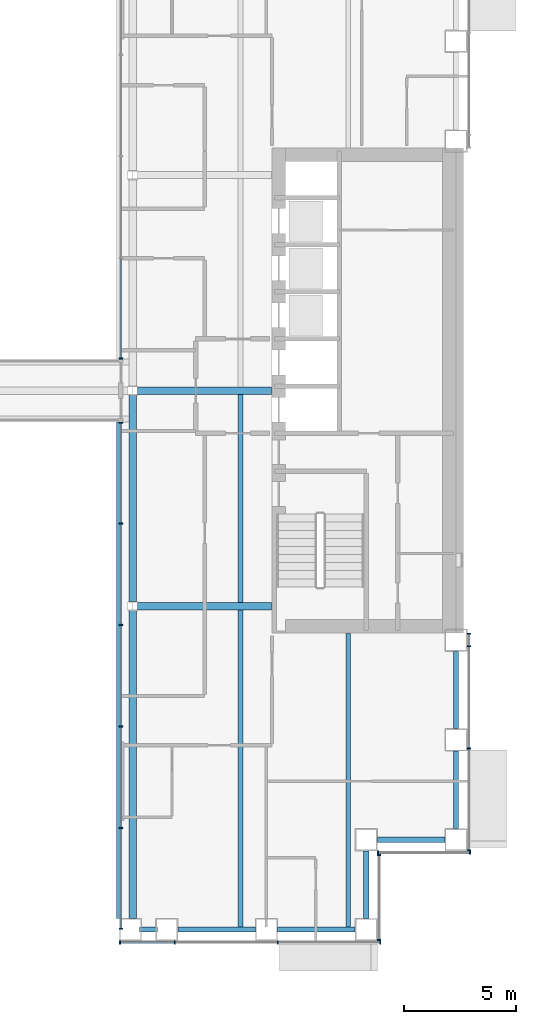
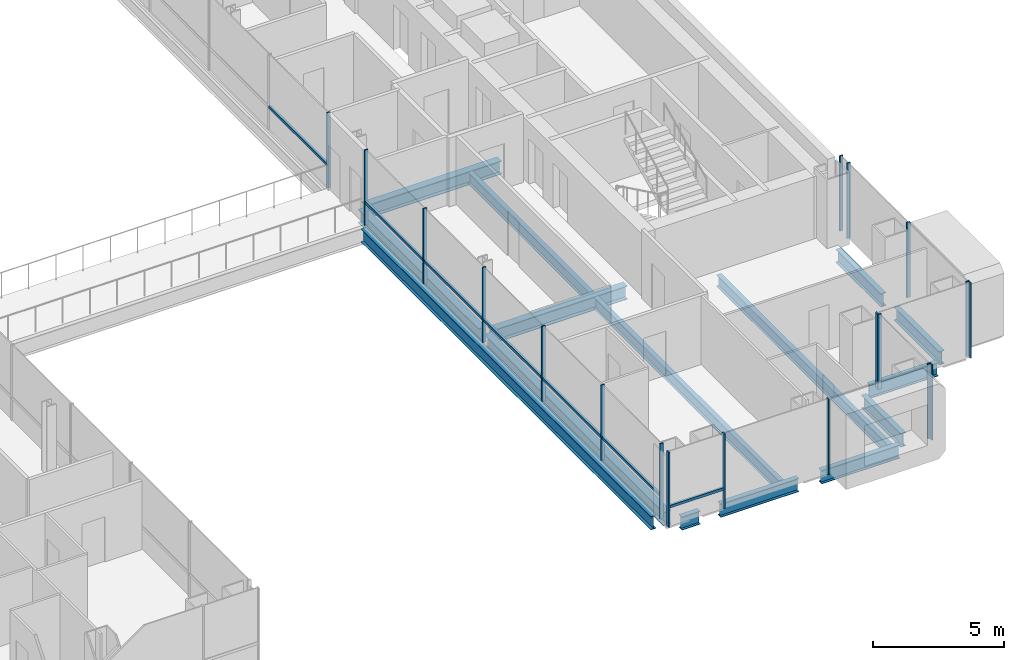
# One storey, part 4 of 21: 26 members, 15 beams, 6 elements without a shape of their own.
"""IFC4 building model written with IfcOpenShell, lengths in metres."""

from ifc_helpers import new_model, si_unit, direction, frame, origin, origin_2d, place, context, subcontext, project, spatial, rectangle, i_section, extrude, material, material_profile, profile_set, type_object, element, aggregate, save


model = new_model("IFC4")

# Units and contexts
model_context = context("Model", 3, precision=1e-05, world=origin(), true_north=direction((0.0, 1.0)))
body_context = subcontext(model_context, "Body", "Model", "MODEL_VIEW")
ifc_project = project(units=[si_unit("LENGTHUNIT", "METRE"), si_unit("AREAUNIT", "SQUARE_METRE"), si_unit("VOLUMEUNIT", "CUBIC_METRE"), si_unit("PLANEANGLEUNIT", "RADIAN"), si_unit("MASSUNIT", "GRAM", prefix="KILO")], contexts=[model_context])

# Site, building, storey
site_placement = place(None, origin())
site = spatial("IfcSite", under=ifc_project, at=site_placement, CompositionType="ELEMENT")
building_placement = place(site_placement, origin())
building = spatial("IfcBuilding", under=site, at=building_placement, Name="Cobrizo Arcos Hotel Tower", CompositionType="ELEMENT")
storey_placement = place(building_placement, frame((0.0, 0.0, 81.0)))
storey = spatial("IfcBuildingStorey", under=building, at=storey_placement, Name="L19", CompositionType="ELEMENT", Elevation=81.0)

# Curtain wall, members
ifc_material_1 = material(Name="Aluminium 6063-T6 anodised bronze", Category="aluminium")
curtain_wall_type_1 = type_object("IfcCurtainWallType", Name="CW-A guest facade", PredefinedType="NOTDEFINED", material=ifc_material_1)
curtain_wall_1_placement = place(storey_placement, origin())
curtain_wall_1 = element("IfcCurtainWall", 1, at=curtain_wall_1_placement, inside=storey, type_object=curtain_wall_type_1, Name="CW-A L19 S face", PredefinedType="NOTDEFINED")
ifc_material_profile_1 = material_profile(ifc_material_1, rectangle(XDim=0.14990234375, YDim=0.06005859375, at=origin_2d()), Name="CW-A mullion 150x60")
ifc_profile_set_1 = profile_set([ifc_material_profile_1], Name="Aluminium 6063-T6 anodised bronze")
member_type_1 = type_object("IfcMemberType", Name="CW-A mullion 150x60", PredefinedType="MULLION", material=ifc_profile_set_1)
member_1_placement = place(storey_placement, frame((9.030029296875, -24.574951171875, 0.0), z_axis=(0.0, 0.0, 1.0), x_axis=(0.0, -1.0, 0.0)))
member_1 = element("IfcMember", 2, at=member_1_placement, type_object=member_type_1, Name="CW-A mullion 1", PredefinedType="MULLION", context=body_context, shape_type="SweptSolid", body=[
    extrude(rectangle(XDim=0.14990234375, YDim=0.06005859375, at=origin_2d()), origin(), (0.0, 0.0, 1.0), 3.5),
])
member_2_placement = place(storey_placement, frame((11.47216796875, -24.574951171875, 0.0), z_axis=(0.0, 0.0, 1.0), x_axis=(0.0, -1.0, 0.0)))
member_2 = element("IfcMember", 3, at=member_2_placement, type_object=member_type_1, Name="CW-A mullion 2", PredefinedType="MULLION", context=body_context, shape_type="SweptSolid", body=[
    extrude(rectangle(XDim=0.14990234375, YDim=0.06005859375, at=origin_2d()), origin(), (0.0, 0.0, 1.0), 3.5),
])
member_3_placement = place(storey_placement, frame((16.06103515625, -24.574951171875, 0.0), z_axis=(0.0, 0.0, 1.0), x_axis=(0.0, -1.0, 0.0)))
member_3 = element("IfcMember", 4, at=member_3_placement, type_object=member_type_1, Name="CW-A mullion 3", PredefinedType="MULLION", context=body_context, shape_type="SweptSolid", body=[
    extrude(rectangle(XDim=0.14990234375, YDim=0.06005859375, at=origin_2d()), origin(), (0.0, 0.0, 1.0), 3.5),
])
member_4_placement = place(storey_placement, frame((20.6201171875, -24.574951171875, 0.0), z_axis=(0.0, 0.0, 1.0), x_axis=(0.0, -1.0, 0.0)))
member_4 = element("IfcMember", 5, at=member_4_placement, type_object=member_type_1, Name="CW-A mullion 4", PredefinedType="MULLION", context=body_context, shape_type="SweptSolid", body=[
    extrude(rectangle(XDim=0.14990234375, YDim=0.06005859375, at=origin_2d()), origin(), (0.0, 0.0, 1.0), 3.5),
])

curtain_wall_2_placement = place(storey_placement, origin())
curtain_wall_2 = element("IfcCurtainWall", 6, at=curtain_wall_2_placement, inside=storey, type_object=curtain_wall_type_1, Name="CW-A L19 E face", PredefinedType="NOTDEFINED")
member_5_placement = place(storey_placement, frame((20.574951171875, -24.469970703125, 0.0), z_axis=(0.0, 0.0, 1.0), x_axis=(1.0, 0.0, 0.0)))
member_5 = element("IfcMember", 7, at=member_5_placement, type_object=member_type_1, Name="CW-A mullion 1", PredefinedType="MULLION", context=body_context, shape_type="SweptSolid", body=[
    extrude(rectangle(XDim=0.14990234375, YDim=0.06005859375, at=origin_2d()), origin(), (0.0, 0.0, 1.0), 3.5),
])
member_6_placement = place(storey_placement, frame((20.574951171875, -20.679931640625, 0.0), z_axis=(0.0, 0.0, 1.0), x_axis=(1.0, 0.0, 0.0)))
member_6 = element("IfcMember", 8, at=member_6_placement, type_object=member_type_1, Name="CW-A mullion 2", PredefinedType="MULLION", context=body_context, shape_type="SweptSolid", body=[
    extrude(rectangle(XDim=0.14990234375, YDim=0.06005859375, at=origin_2d()), origin(), (0.0, 0.0, 1.0), 3.5),
])
aggregate(curtain_wall_2, [member_5, member_6])

curtain_wall_3_placement = place(storey_placement, origin())
curtain_wall_3 = element("IfcCurtainWall", 9, at=curtain_wall_3_placement, inside=storey, type_object=curtain_wall_type_1, Name="CW-A L19 S face", PredefinedType="NOTDEFINED")
member_7_placement = place(storey_placement, frame((20.530029296875, -20.574951171875, 0.0), z_axis=(0.0, 0.0, 1.0), x_axis=(0.0, -1.0, 0.0)))
member_7 = element("IfcMember", 10, at=member_7_placement, type_object=member_type_1, Name="CW-A mullion 1", PredefinedType="MULLION", context=body_context, shape_type="SweptSolid", body=[
    extrude(rectangle(XDim=0.14990234375, YDim=0.06005859375, at=origin_2d()), origin(), (0.0, 0.0, 1.0), 3.5),
])
member_8_placement = place(storey_placement, frame((24.6201171875, -20.574951171875, 0.0), z_axis=(0.0, 0.0, 1.0), x_axis=(0.0, -1.0, 0.0)))
member_8 = element("IfcMember", 11, at=member_8_placement, type_object=member_type_1, Name="CW-A mullion 2", PredefinedType="MULLION", context=body_context, shape_type="SweptSolid", body=[
    extrude(rectangle(XDim=0.14990234375, YDim=0.06005859375, at=origin_2d()), origin(), (0.0, 0.0, 1.0), 3.5),
])
aggregate(curtain_wall_3, [member_7, member_8])

curtain_wall_4_placement = place(storey_placement, origin())
curtain_wall_4 = element("IfcCurtainWall", 12, at=curtain_wall_4_placement, inside=storey, type_object=curtain_wall_type_1, Name="CW-A L19 E face", PredefinedType="NOTDEFINED")
member_9_placement = place(storey_placement, frame((24.574951171875, -20.469970703125, 0.0), z_axis=(0.0, 0.0, 1.0), x_axis=(1.0, 0.0, 0.0)))
member_9 = element("IfcMember", 13, at=member_9_placement, type_object=member_type_1, Name="CW-A mullion 1", PredefinedType="MULLION", context=body_context, shape_type="SweptSolid", body=[
    extrude(rectangle(XDim=0.14990234375, YDim=0.06005859375, at=origin_2d()), origin(), (0.0, 0.0, 1.0), 3.5),
])
member_10_placement = place(storey_placement, frame((24.574951171875, -15.9443359375, 0.0), z_axis=(0.0, 0.0, 1.0), x_axis=(1.0, 0.0, 0.0)))
member_10 = element("IfcMember", 14, at=member_10_placement, type_object=member_type_1, Name="CW-A mullion 2", PredefinedType="MULLION", context=body_context, shape_type="SweptSolid", body=[
    extrude(rectangle(XDim=0.14990234375, YDim=0.06005859375, at=origin_2d()), origin(), (0.0, 0.0, 1.0), 3.5),
])
member_11_placement = place(storey_placement, frame((24.574951171875, -11.388916015625, 0.0), z_axis=(0.0, 0.0, 1.0), x_axis=(1.0, 0.0, 0.0)))
member_11 = element("IfcMember", 15, at=member_11_placement, type_object=member_type_1, Name="CW-A mullion 3", PredefinedType="MULLION", context=body_context, shape_type="SweptSolid", body=[
    extrude(rectangle(XDim=0.14990234375, YDim=0.06005859375, at=origin_2d()), origin(), (0.0, 0.0, 1.0), 3.5),
])
member_12_placement = place(storey_placement, frame((24.574951171875, -10.830078125, 0.0), z_axis=(0.0, 0.0, 1.0), x_axis=(1.0, 0.0, 0.0)))
member_12 = element("IfcMember", 16, at=member_12_placement, type_object=member_type_1, Name="CW-A mullion 4", PredefinedType="MULLION", context=body_context, shape_type="SweptSolid", body=[
    extrude(rectangle(XDim=0.14990234375, YDim=0.06005859375, at=origin_2d()), origin(), (0.0, 0.0, 1.0), 3.5),
])
aggregate(curtain_wall_4, [member_9, member_10, member_11, member_12])

# Member
ifc_material_profile_2 = material_profile(ifc_material_1, rectangle(XDim=0.10009765625, YDim=0.1201171875, at=origin_2d()), Name="CW-A transom 120x100")
ifc_profile_set_2 = profile_set([ifc_material_profile_2], Name="Aluminium 6063-T6 anodised bronze")
member_type_2 = type_object("IfcMemberType", Name="CW-A transom 120x100", PredefinedType="USERDEFINED", material=ifc_profile_set_2)
member_13_placement = place(storey_placement, frame((9.06005859375, -24.574951171875, 0.929931640625), z_axis=(1.0, 0.0, 0.0), x_axis=(0.0, 1.0, 0.0)))
member_13 = element("IfcMember", 17, at=member_13_placement, type_object=member_type_2, Name="CW-A transom 784", ObjectType="TRANSOM", PredefinedType="USERDEFINED", context=body_context, shape_type="SweptSolid", body=[
    extrude(rectangle(XDim=0.10009765625, YDim=0.1201171875, at=origin_2d()), origin(), (0.0, 0.0, 1.0), 2.382080078125),
])

aggregate(curtain_wall_1, [member_1, member_2, member_3, member_4, member_13])

# Curtain wall, members
curtain_wall_type_2 = type_object("IfcCurtainWallType", Name="CW-F void screen", PredefinedType="NOTDEFINED", material=ifc_material_1)
curtain_wall_5_placement = place(storey_placement, origin())
curtain_wall_5 = element("IfcCurtainWall", 18, at=curtain_wall_5_placement, inside=storey, type_object=curtain_wall_type_2, Name="CW-F L19 void screen A", PredefinedType="NOTDEFINED")
ifc_material_profile_3 = material_profile(ifc_material_1, rectangle(XDim=0.14990234375, YDim=0.06005859375, at=origin_2d()), Name="CW-F mullion 150x60")
ifc_profile_set_3 = profile_set([ifc_material_profile_3], Name="Aluminium 6063-T6 anodised bronze")
member_type_3 = type_object("IfcMemberType", Name="CW-F mullion 150x60", PredefinedType="MULLION", material=ifc_profile_set_3)
member_14_placement = place(storey_placement, frame((9.074951171875, -23.969970703125, 0.0), z_axis=(0.0, 0.0, 1.0), x_axis=(1.0, 0.0, 0.0)))
member_14 = element("IfcMember", 19, at=member_14_placement, type_object=member_type_3, Name="CW-F mullion 1", PredefinedType="MULLION", context=body_context, shape_type="SweptSolid", body=[
    extrude(rectangle(XDim=0.14990234375, YDim=0.06005859375, at=origin_2d()), origin(), (0.0, 0.0, 1.0), 3.5),
])
member_15_placement = place(storey_placement, frame((9.074951171875, -19.47998046875, 0.0), z_axis=(0.0, 0.0, 1.0), x_axis=(1.0, 0.0, 0.0)))
member_15 = element("IfcMember", 20, at=member_15_placement, type_object=member_type_3, Name="CW-F mullion 2", PredefinedType="MULLION", context=body_context, shape_type="SweptSolid", body=[
    extrude(rectangle(XDim=0.14990234375, YDim=0.06005859375, at=origin_2d()), origin(), (0.0, 0.0, 1.0), 3.5),
])
member_16_placement = place(storey_placement, frame((9.074951171875, -14.9599609375, 0.0), z_axis=(0.0, 0.0, 1.0), x_axis=(1.0, 0.0, 0.0)))
member_16 = element("IfcMember", 21, at=member_16_placement, type_object=member_type_3, Name="CW-F mullion 3", PredefinedType="MULLION", context=body_context, shape_type="SweptSolid", body=[
    extrude(rectangle(XDim=0.14990234375, YDim=0.06005859375, at=origin_2d()), origin(), (0.0, 0.0, 1.0), 3.5),
])
member_17_placement = place(storey_placement, frame((9.074951171875, -10.43994140625, 0.0), z_axis=(0.0, 0.0, 1.0), x_axis=(1.0, 0.0, 0.0)))
member_17 = element("IfcMember", 22, at=member_17_placement, type_object=member_type_3, Name="CW-F mullion 4", PredefinedType="MULLION", context=body_context, shape_type="SweptSolid", body=[
    extrude(rectangle(XDim=0.14990234375, YDim=0.06005859375, at=origin_2d()), origin(), (0.0, 0.0, 1.0), 3.5),
])
member_18_placement = place(storey_placement, frame((9.074951171875, -5.919921875, 0.0), z_axis=(0.0, 0.0, 1.0), x_axis=(1.0, 0.0, 0.0)))
member_18 = element("IfcMember", 23, at=member_18_placement, type_object=member_type_3, Name="CW-F mullion 5", PredefinedType="MULLION", context=body_context, shape_type="SweptSolid", body=[
    extrude(rectangle(XDim=0.14990234375, YDim=0.06005859375, at=origin_2d()), origin(), (0.0, 0.0, 1.0), 3.5),
])
member_19_placement = place(storey_placement, frame((9.074951171875, -1.429931640625, 0.0), z_axis=(0.0, 0.0, 1.0), x_axis=(1.0, 0.0, 0.0)))
member_19 = element("IfcMember", 24, at=member_19_placement, type_object=member_type_3, Name="CW-F mullion 6", PredefinedType="MULLION", context=body_context, shape_type="SweptSolid", body=[
    extrude(rectangle(XDim=0.14990234375, YDim=0.06005859375, at=origin_2d()), origin(), (0.0, 0.0, 1.0), 3.5),
])

# Curtain wall, member
curtain_wall_6_placement = place(storey_placement, origin())
curtain_wall_6 = element("IfcCurtainWall", 25, at=curtain_wall_6_placement, inside=storey, type_object=curtain_wall_type_2, Name="CW-F L19 void screen A", PredefinedType="NOTDEFINED")
member_20_placement = place(storey_placement, frame((9.074951171875, 1.429931640625, 0.0), z_axis=(0.0, 0.0, 1.0), x_axis=(1.0, 0.0, 0.0)))
member_20 = element("IfcMember", 26, at=member_20_placement, type_object=member_type_3, Name="CW-F mullion 1", PredefinedType="MULLION", context=body_context, shape_type="SweptSolid", body=[
    extrude(rectangle(XDim=0.14990234375, YDim=0.06005859375, at=origin_2d()), origin(), (0.0, 0.0, 1.0), 3.5),
])

# Member
ifc_material_profile_4 = material_profile(ifc_material_1, rectangle(XDim=0.10009765625, YDim=0.1201171875, at=origin_2d()), Name="CW-F transom 120x100")
ifc_profile_set_4 = profile_set([ifc_material_profile_4], Name="Aluminium 6063-T6 anodised bronze")
member_type_4 = type_object("IfcMemberType", Name="CW-F transom 120x100", PredefinedType="USERDEFINED", material=ifc_profile_set_4)
member_21_placement = place(storey_placement, frame((9.074951171875, -23.93994140625, 1.050048828125), z_axis=(0.0, 1.0, 0.0), x_axis=(-1.0, 0.0, 0.0)))
member_21 = element("IfcMember", 27, at=member_21_placement, type_object=member_type_4, Name="CW-F transom 2548", ObjectType="TRANSOM", PredefinedType="USERDEFINED", context=body_context, shape_type="SweptSolid", body=[
    extrude(rectangle(XDim=0.10009765625, YDim=0.1201171875, at=origin_2d()), origin(), (0.0, 0.0, 1.0), 4.429931640625),
])

member_22_placement = place(storey_placement, frame((9.074951171875, -19.449951171875, 1.050048828125), z_axis=(0.0, 1.0, 0.0), x_axis=(-1.0, 0.0, 0.0)))
member_22 = element("IfcMember", 28, at=member_22_placement, type_object=member_type_4, Name="CW-F transom 2549", ObjectType="TRANSOM", PredefinedType="USERDEFINED", context=body_context, shape_type="SweptSolid", body=[
    extrude(rectangle(XDim=0.10009765625, YDim=0.1201171875, at=origin_2d()), origin(), (0.0, 0.0, 1.0), 4.4599609375),
])

member_23_placement = place(storey_placement, frame((9.074951171875, -14.929931640625, 1.050048828125), z_axis=(0.0, 1.0, 0.0), x_axis=(-1.0, 0.0, 0.0)))
member_23 = element("IfcMember", 29, at=member_23_placement, type_object=member_type_4, Name="CW-F transom 2550", ObjectType="TRANSOM", PredefinedType="USERDEFINED", context=body_context, shape_type="SweptSolid", body=[
    extrude(rectangle(XDim=0.10009765625, YDim=0.1201171875, at=origin_2d()), origin(), (0.0, 0.0, 1.0), 4.4599609375),
])

member_24_placement = place(storey_placement, frame((9.074951171875, -10.409912109375, 1.050048828125), z_axis=(0.0, 1.0, 0.0), x_axis=(-1.0, 0.0, 0.0)))
member_24 = element("IfcMember", 30, at=member_24_placement, type_object=member_type_4, Name="CW-F transom 2551", ObjectType="TRANSOM", PredefinedType="USERDEFINED", context=body_context, shape_type="SweptSolid", body=[
    extrude(rectangle(XDim=0.10009765625, YDim=0.1201171875, at=origin_2d()), origin(), (0.0, 0.0, 1.0), 4.4599609375),
])

member_25_placement = place(storey_placement, frame((9.074951171875, -5.889892578125, 1.050048828125), z_axis=(0.0, 1.0, 0.0), x_axis=(-1.0, 0.0, 0.0)))
member_25 = element("IfcMember", 31, at=member_25_placement, type_object=member_type_4, Name="CW-F transom 2552", ObjectType="TRANSOM", PredefinedType="USERDEFINED", context=body_context, shape_type="SweptSolid", body=[
    extrude(rectangle(XDim=0.10009765625, YDim=0.1201171875, at=origin_2d()), origin(), (0.0, 0.0, 1.0), 4.429931640625),
])

aggregate(curtain_wall_5, [member_14, member_15, member_16, member_17, member_18, member_19, member_21, member_22, member_23, member_24, member_25])

member_26_placement = place(storey_placement, frame((9.074951171875, 1.4599609375, 1.050048828125), z_axis=(0.0, 1.0, 0.0), x_axis=(-1.0, 0.0, 0.0)))
member_26 = element("IfcMember", 32, at=member_26_placement, type_object=member_type_4, Name="CW-F transom 2553", ObjectType="TRANSOM", PredefinedType="USERDEFINED", context=body_context, shape_type="SweptSolid", body=[
    extrude(rectangle(XDim=0.10009765625, YDim=0.1201171875, at=origin_2d()), origin(), (0.0, 0.0, 1.0), 4.429931640625),
])

aggregate(curtain_wall_6, [member_20, member_26])

# Beams
ifc_material_2 = material(Name="Steel ASTM A992 Grade 50", Category="steel")
ifc_material_profile_5 = material_profile(ifc_material_2, i_section(OverallWidth=0.209228515625, OverallDepth=0.533447265625, WebThickness=0.01025390625, FlangeThickness=0.015625, at=origin_2d()), Name="W21X62")
ifc_profile_set_5 = profile_set([ifc_material_profile_5], Name="Steel ASTM A992 Grade 50")
beam_type_1 = type_object("IfcBeamType", Name="W21X62 joist", PredefinedType="JOIST", material=ifc_profile_set_5)
beam_1_placement = place(storey_placement, frame((14.39990234375, -23.909912109375, -0.416748046875), z_axis=(0.0, 1.0, 0.0), x_axis=(-1.0, 0.0, 0.0)))
element("IfcBeam", 33, at=beam_1_placement, inside=storey, type_object=beam_type_1, Name="Floor joist J1, L19, no. 007", PredefinedType="JOIST", context=body_context, shape_type="SweptSolid", body=[
    extrude(i_section(OverallWidth=0.209228515625, OverallDepth=0.533447265625, WebThickness=0.01025390625, FlangeThickness=0.015625, at=origin_2d()), origin(), (0.0, 0.0, 1.0), 14.14599609375),
])
beam_2_placement = place(storey_placement, frame((14.39990234375, -9.43603515625, -0.416748046875), z_axis=(0.0, 1.0, 0.0), x_axis=(-1.0, 0.0, 0.0)))
element("IfcBeam", 34, at=beam_2_placement, inside=storey, type_object=beam_type_1, Name="Floor joist J1, L19, no. 008", PredefinedType="JOIST", context=body_context, shape_type="SweptSolid", body=[
    extrude(i_section(OverallWidth=0.209228515625, OverallDepth=0.533447265625, WebThickness=0.01025390625, FlangeThickness=0.015625, at=origin_2d()), origin(), (0.0, 0.0, 1.0), 9.272216796875),
])
beam_3_placement = place(storey_placement, frame((19.199951171875, -23.909912109375, -0.416748046875), z_axis=(0.0, 1.0, 0.0), x_axis=(-1.0, 0.0, 0.0)))
element("IfcBeam", 35, at=beam_3_placement, inside=storey, type_object=beam_type_1, Name="Floor joist J1, L19, no. 011", PredefinedType="JOIST", context=body_context, shape_type="SweptSolid", body=[
    extrude(i_section(OverallWidth=0.209228515625, OverallDepth=0.533447265625, WebThickness=0.01025390625, FlangeThickness=0.015625, at=origin_2d()), origin(), (0.0, 0.0, 1.0), 13.099853515625),
])
ifc_material_profile_6 = material_profile(ifc_material_2, i_section(OverallWidth=0.32763671875, OverallDepth=0.622314453125, WebThickness=0.015380859375, FlangeThickness=0.0244140625, at=origin_2d()), Name="W24X131")
ifc_profile_set_6 = profile_set([ifc_material_profile_6], Name="Steel ASTM A992 Grade 50")
beam_type_2 = type_object("IfcBeamType", Name="W24X131 girder", PredefinedType="BEAM", material=ifc_profile_set_6)
for number, where, z_axis, x_axis, name in (
    (36, (9.804443359375, -9.60009765625, -0.461181640625), (1.0, 0.0, 0.0), (0.0, 1.0, 0.0), "Floor girder G1, L19, no. 002"),
    (37, (9.804443359375, 0.0, -0.461181640625), (1.0, 0.0, 0.0), (0.0, 1.0, 0.0), "Floor girder G1, L19, no. 005"),
):
    element("IfcBeam", number, at=place(storey_placement, frame(where, z_axis=z_axis, x_axis=x_axis)), inside=storey, type_object=beam_type_2, Name=name, PredefinedType="BEAM", context=body_context, shape_type="SweptSolid", body=[
        extrude(i_section(OverallWidth=0.32763671875, OverallDepth=0.622314453125, WebThickness=0.015380859375, FlangeThickness=0.0244140625, at=origin_2d()), origin(), (0.0, 0.0, 1.0), 5.985595703125),
    ])
beam_4_placement = place(storey_placement, frame((9.60009765625, -23.5, -0.461181640625), z_axis=(0.0, 1.0, 0.0), x_axis=(-1.0, 0.0, 0.0)))
element("IfcBeam", 38, at=beam_4_placement, inside=storey, type_object=beam_type_2, Name="Floor girder G1, L19, no. 012", PredefinedType="BEAM", context=body_context, shape_type="SweptSolid", body=[
    extrude(i_section(OverallWidth=0.32763671875, OverallDepth=0.622314453125, WebThickness=0.015380859375, FlangeThickness=0.0244140625, at=origin_2d()), origin(), (0.0, 0.0, 1.0), 13.695556640625),
])
beam_5_placement = place(storey_placement, frame((9.60009765625, -9.3955078125, -0.461181640625), z_axis=(0.0, 1.0, 0.0), x_axis=(-1.0, 0.0, 0.0)))
element("IfcBeam", 39, at=beam_5_placement, inside=storey, type_object=beam_type_2, Name="Floor girder G1, L19, no. 013", PredefinedType="BEAM", context=body_context, shape_type="SweptSolid", body=[
    extrude(i_section(OverallWidth=0.32763671875, OverallDepth=0.622314453125, WebThickness=0.015380859375, FlangeThickness=0.0244140625, at=origin_2d()), origin(), (0.0, 0.0, 1.0), 9.191162109375),
])
ifc_material_profile_7 = material_profile(ifc_material_2, i_section(OverallWidth=0.23046875, OverallDepth=0.6171875, WebThickness=0.01318359375, FlangeThickness=0.022216796875, at=origin_2d()), Name="W24X94")
ifc_profile_set_7 = profile_set([ifc_material_profile_7], Name="Steel ASTM A992 Grade 50")
beam_type_3 = type_object("IfcBeamType", Name="W24X94 spandrel", PredefinedType="SPANDREL", material=ifc_profile_set_7)
beam_6_placement = place(storey_placement, frame((24.0, -11.611083984375, -0.45849609375), z_axis=(0.0, -1.0, 0.0), x_axis=(1.0, 0.0, 0.0)))
element("IfcBeam", 40, at=beam_6_placement, inside=storey, type_object=beam_type_3, Name="Spandrel beam W24X94, L19, no. 004", PredefinedType="SPANDREL", context=body_context, shape_type="SweptSolid", body=[
    extrude(i_section(OverallWidth=0.23046875, OverallDepth=0.6171875, WebThickness=0.01318359375, FlangeThickness=0.022216796875, at=origin_2d()), origin(), (0.0, 0.0, 1.0), 3.44482421875),
])
beam_7_placement = place(storey_placement, frame((24.0, -16.055908203125, -0.45849609375), z_axis=(0.0, -1.0, 0.0), x_axis=(1.0, 0.0, 0.0)))
element("IfcBeam", 41, at=beam_7_placement, inside=storey, type_object=beam_type_3, Name="Spandrel beam W24X94, L19, no. 005", PredefinedType="SPANDREL", context=body_context, shape_type="SweptSolid", body=[
    extrude(i_section(OverallWidth=0.23046875, OverallDepth=0.6171875, WebThickness=0.01318359375, FlangeThickness=0.022216796875, at=origin_2d()), origin(), (0.0, 0.0, 1.0), 3.444091796875),
])
for number, where, z_axis, x_axis, name in (
    (42, (23.5, -20.0, -0.45849609375), (-1.0, 0.0, 0.0), (0.0, -1.0, 0.0), "Spandrel beam W24X94, L19, no. 006"),
    (43, (20.0, -20.5, -0.45849609375), (0.0, -1.0, 0.0), (1.0, 0.0, 0.0), "Spandrel beam W24X94, L19, no. 007"),
):
    element("IfcBeam", number, at=place(storey_placement, frame(where, z_axis=z_axis, x_axis=x_axis)), inside=storey, type_object=beam_type_3, Name=name, PredefinedType="SPANDREL", context=body_context, shape_type="SweptSolid", body=[
        extrude(i_section(OverallWidth=0.23046875, OverallDepth=0.6171875, WebThickness=0.01318359375, FlangeThickness=0.022216796875, at=origin_2d()), origin(), (0.0, 0.0, 1.0), 3.0),
    ])
beam_8_placement = place(storey_placement, frame((19.5, -24.0, -0.45849609375), z_axis=(-1.0, 0.0, 0.0), x_axis=(0.0, -1.0, 0.0)))
element("IfcBeam", 44, at=beam_8_placement, inside=storey, type_object=beam_type_3, Name="Spandrel beam W24X94, L19, no. 008", PredefinedType="SPANDREL", context=body_context, shape_type="SweptSolid", body=[
    extrude(i_section(OverallWidth=0.23046875, OverallDepth=0.6171875, WebThickness=0.01318359375, FlangeThickness=0.022216796875, at=origin_2d()), origin(), (0.0, 0.0, 1.0), 3.444091796875),
])
beam_9_placement = place(storey_placement, frame((15.055908203125, -24.0, -0.45849609375), z_axis=(-1.0, 0.0, 0.0), x_axis=(0.0, -1.0, 0.0)))
element("IfcBeam", 45, at=beam_9_placement, inside=storey, type_object=beam_type_3, Name="Spandrel beam W24X94, L19, no. 009", PredefinedType="SPANDREL", context=body_context, shape_type="SweptSolid", body=[
    extrude(i_section(OverallWidth=0.23046875, OverallDepth=0.6171875, WebThickness=0.01318359375, FlangeThickness=0.022216796875, at=origin_2d()), origin(), (0.0, 0.0, 1.0), 3.44482421875),
])
beam_10_placement = place(storey_placement, frame((10.7109375, -24.0, -0.45849609375), z_axis=(-1.0, 0.0, 0.0), x_axis=(0.0, -1.0, 0.0)))
element("IfcBeam", 46, at=beam_10_placement, inside=storey, type_object=beam_type_3, Name="Spandrel beam W24X94, L19, no. 010", PredefinedType="SPANDREL", context=body_context, shape_type="SweptSolid", body=[
    extrude(i_section(OverallWidth=0.23046875, OverallDepth=0.6171875, WebThickness=0.01318359375, FlangeThickness=0.022216796875, at=origin_2d()), origin(), (0.0, 0.0, 1.0), 0.81103515625),
])
beam_11_placement = place(storey_placement, frame((9.0, -23.5, -0.45849609375), z_axis=(0.0, 1.0, 0.0), x_axis=(-1.0, 0.0, 0.0)))
element("IfcBeam", 47, at=beam_11_placement, inside=storey, type_object=beam_type_3, Name="Spandrel beam W24X94, L19, no. 011", PredefinedType="SPANDREL", context=body_context, shape_type="SweptSolid", body=[
    extrude(i_section(OverallWidth=0.23046875, OverallDepth=0.6171875, WebThickness=0.01318359375, FlangeThickness=0.022216796875, at=origin_2d()), origin(), (0.0, 0.0, 1.0), 22.10009765625),
])

save(model, "model.ifc")
